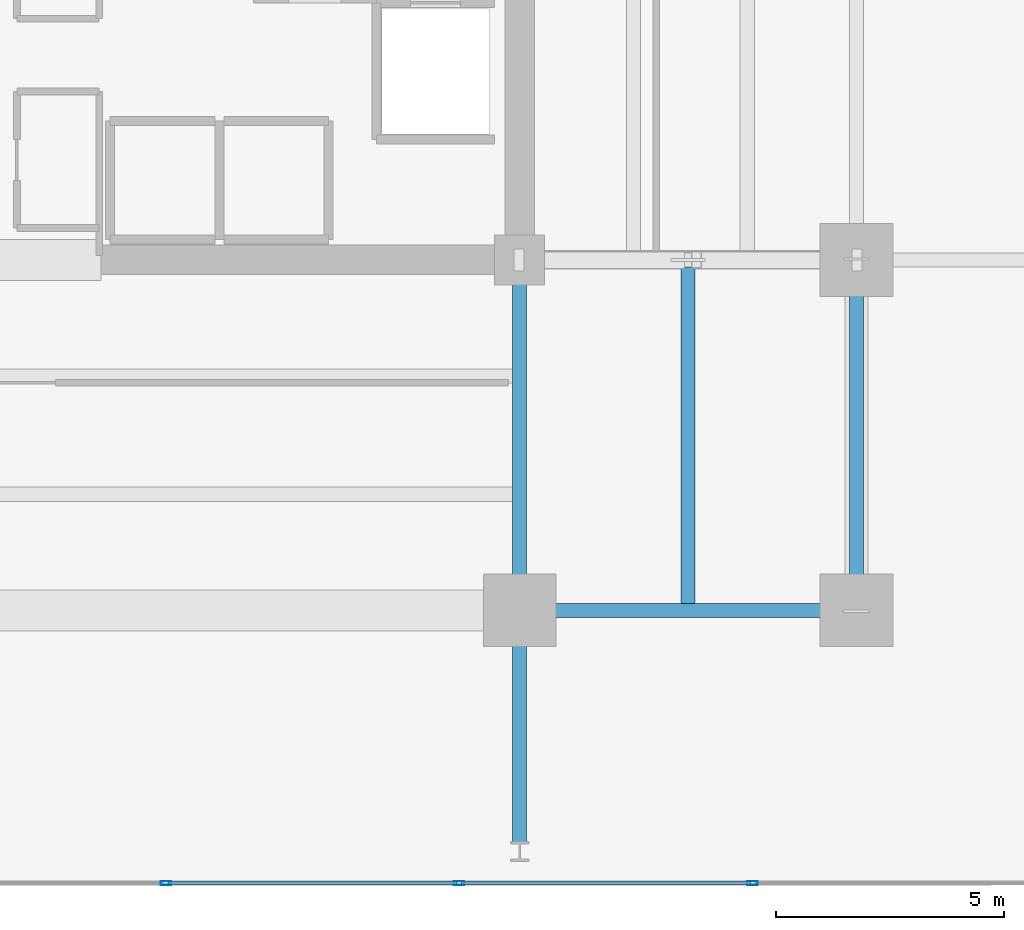
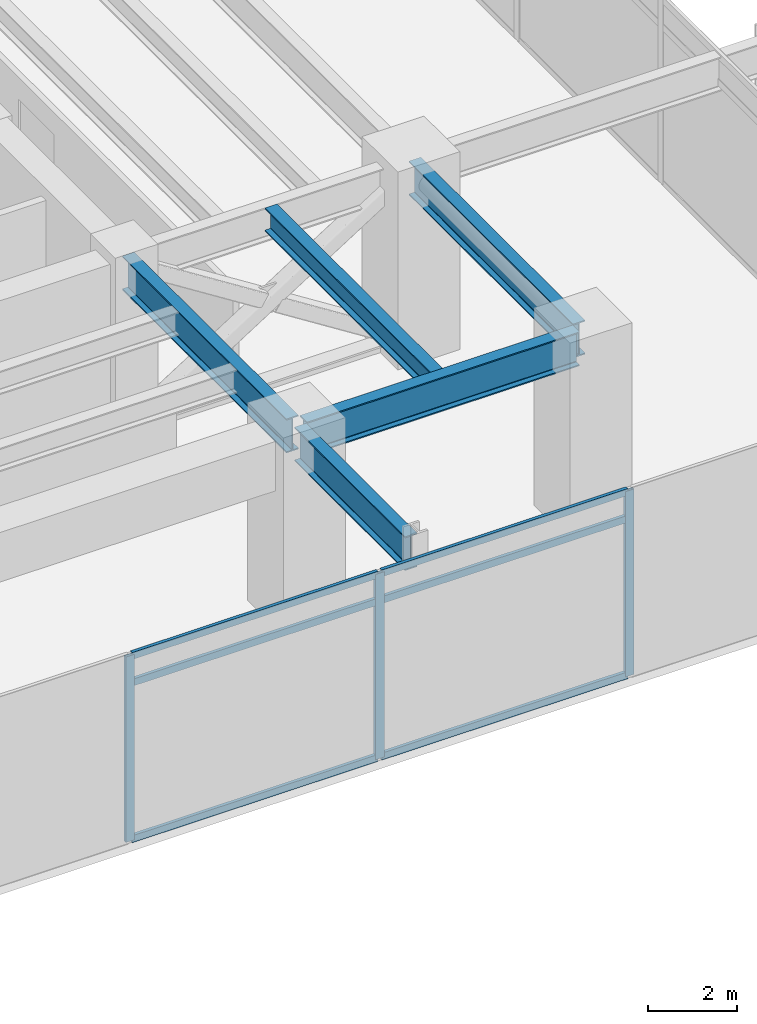
# One storey, part 9 of 26: 9 members, 5 beams, 1 element without a shape of its own.
"""IFC4 building model written with IfcOpenShell, lengths in metres."""

from ifc_helpers import new_model, si_unit, direction, frame, origin, origin_2d, place, context, subcontext, project, spatial, hollow_rectangle, i_section, extrude, material, material_profile, profile_set, type_object, element, aggregate, save


model = new_model("IFC4")

# Units and contexts
model_context = context("Model", 3, precision=1e-05, world=origin(), true_north=direction((0.0, 1.0)))
body_context = subcontext(model_context, "Body", "Model", "MODEL_VIEW")
ifc_project = project(units=[si_unit("LENGTHUNIT", "METRE"), si_unit("AREAUNIT", "SQUARE_METRE"), si_unit("VOLUMEUNIT", "CUBIC_METRE"), si_unit("PLANEANGLEUNIT", "RADIAN"), si_unit("MASSUNIT", "GRAM", prefix="KILO")], contexts=[model_context])

# Site, building, storey
site_placement = place(None, origin())
site = spatial("IfcSite", under=ifc_project, at=site_placement, CompositionType="ELEMENT")
building_placement = place(site_placement, origin())
building = spatial("IfcBuilding", under=site, at=building_placement, Name="Kovane Verandah Tower", CompositionType="ELEMENT")
storey_placement = place(building_placement, frame((0.0, 0.0, 113.0)))
storey = spatial("IfcBuildingStorey", under=building, at=storey_placement, Name="L26", CompositionType="ELEMENT", Elevation=113.0)

# Beams
ifc_material_1 = material(Name="Steel S460", Category="steel")
ifc_material_profile_1 = material_profile(ifc_material_1, i_section(OverallWidth=0.311279296875, OverallDepth=0.6357421875, WebThickness=0.018310546875, FlangeThickness=0.031494140625, FilletRadius=0.0166015625, at=origin_2d()), Name="UB610x305x238")
ifc_profile_set_1 = profile_set([ifc_material_profile_1], Name="Steel S460")
beam_type_1 = type_object("IfcBeamType", Name="BM-UB610x238", PredefinedType="BEAM", material=ifc_profile_set_1)
beam_1_placement = place(storey_placement, frame((54.699951171875, 10.951904296875, 4.781982421875), z_axis=(0.0, 1.0, 0.0), x_axis=(-1.0, 0.0, 0.0)))
element("IfcBeam", 1, at=beam_1_placement, inside=storey, type_object=beam_type_1, Name="L26 Secondary Composite Joist J-SE1", PredefinedType="BEAM", context=body_context, shape_type="SweptSolid", body=[
    extrude(i_section(OverallWidth=0.311279296875, OverallDepth=0.6357421875, WebThickness=0.018310546875, FlangeThickness=0.031494140625, FilletRadius=0.0166015625, at=origin_2d()), origin(), (0.0, 0.0, 1.0), 7.396240234375),
])
ifc_material_profile_2 = material_profile(ifc_material_1, i_section(OverallWidth=0.3076171875, OverallDepth=0.926513671875, WebThickness=0.01953125, FlangeThickness=0.031982421875, FilletRadius=0.01904296875, at=origin_2d()), Name="UB914x305x289")
ifc_profile_set_2 = profile_set([ifc_material_profile_2], Name="Steel S460")
beam_type_2 = type_object("IfcBeamType", Name="BM-UB914x289", PredefinedType="BEAM", material=ifc_profile_set_2)
beam_2_placement = place(storey_placement, frame((51.179931640625, 10.800048828125, 4.63671875), z_axis=(1.0, 0.0, 0.0), x_axis=(0.0, 1.0, 0.0)))
element("IfcBeam", 2, at=beam_2_placement, inside=storey, type_object=beam_type_2, Name="L26 Primary Tower Girder G-RS3", PredefinedType="BEAM", context=body_context, shape_type="SweptSolid", body=[
    extrude(i_section(OverallWidth=0.3076171875, OverallDepth=0.926513671875, WebThickness=0.01953125, FlangeThickness=0.031982421875, FilletRadius=0.01904296875, at=origin_2d()), origin(), (0.0, 0.0, 1.0), 7.0400390625),
])
for number, where, z_axis, x_axis, name in (
    (3, (58.39990234375, 10.97998046875, 4.63671875), (0.0, 1.0, 0.0), (-1.0, 0.0, 0.0), "L26 Primary Tower Girder G-RE1"),
    (4, (51.0, 18.320068359375, 4.63671875), (0.0, -1.0, 0.0), (1.0, 0.0, 0.0), "L26 Primary Tower Girder G-S2"),
):
    element("IfcBeam", number, at=place(storey_placement, frame(where, z_axis=z_axis, x_axis=x_axis)), inside=storey, type_object=beam_type_2, Name=name, PredefinedType="BEAM", context=body_context, shape_type="SweptSolid", body=[
        extrude(i_section(OverallWidth=0.3076171875, OverallDepth=0.926513671875, WebThickness=0.01953125, FlangeThickness=0.031982421875, FilletRadius=0.01904296875, at=origin_2d()), origin(), (0.0, 0.0, 1.0), 7.340087890625),
    ])
beam_3_placement = place(storey_placement, frame((51.0, 10.6201171875, 4.63671875), z_axis=(0.0, -1.0, 0.0), x_axis=(1.0, 0.0, 0.0)))
element("IfcBeam", 5, at=beam_3_placement, inside=storey, type_object=beam_type_2, Name="L26 Primary Tower Girder G-VS2", PredefinedType="BEAM", context=body_context, shape_type="SweptSolid", body=[
    extrude(i_section(OverallWidth=0.3076171875, OverallDepth=0.926513671875, WebThickness=0.01953125, FlangeThickness=0.031982421875, FilletRadius=0.01904296875, at=origin_2d()), origin(), (0.0, 0.0, 1.0), 4.940185546875),
])

# Curtain wall, members
ifc_material_2 = material(Name="Champagne Anodised Aluminium Frame with Low-E Clear Laminated Glass", Category="aluminium")
curtain_wall_type = type_object("IfcCurtainWallType", Name="CW-SYS-02-LOW", PredefinedType="NOTDEFINED", material=ifc_material_2)
curtain_wall_placement = place(storey_placement, origin())
curtain_wall = element("IfcCurtainWall", 6, at=curtain_wall_placement, inside=storey, type_object=curtain_wall_type, Name="L26 S Unitised Curtain Wall", PredefinedType="NOTDEFINED")
ifc_material_3 = material(Name="Champagne Anodised Aluminium 6063-T6", Category="aluminium")
ifc_material_profile_3 = material_profile(ifc_material_3, hollow_rectangle(XDim=0.0849609375, YDim=0.22998046875, WallThickness=0.00390625, at=origin_2d()), Name="AL85x230x4")
ifc_profile_set_3 = profile_set([ifc_material_profile_3], Name="Champagne Anodised Aluminium 6063-T6")
member_type_1 = type_object("IfcMemberType", Name="CW-MUL-85x230", PredefinedType="MULLION", material=ifc_profile_set_3)
member_1_placement = place(storey_placement, frame((43.223388671875, 4.80517578125, 0.02001953125), z_axis=(0.0, 0.0, 1.0), x_axis=(0.0, -1.0, 0.0)))
member_1 = element("IfcMember", 7, at=member_1_placement, type_object=member_type_1, Name="L26 S Unitised Curtain Wall Mullion 5", PredefinedType="MULLION", context=body_context, shape_type="SweptSolid", body=[
    extrude(hollow_rectangle(XDim=0.0849609375, YDim=0.22998046875, WallThickness=0.00390625, at=origin_2d()), origin(), (0.0, 0.0, 1.0), 5.06005859375),
])
member_2_placement = place(storey_placement, frame((49.67041015625, 4.80517578125, 0.02001953125), z_axis=(0.0, 0.0, 1.0), x_axis=(0.0, -1.0, 0.0)))
member_2 = element("IfcMember", 8, at=member_2_placement, type_object=member_type_1, Name="L26 S Unitised Curtain Wall Mullion 6", PredefinedType="MULLION", context=body_context, shape_type="SweptSolid", body=[
    extrude(hollow_rectangle(XDim=0.0849609375, YDim=0.22998046875, WallThickness=0.00390625, at=origin_2d()), origin(), (0.0, 0.0, 1.0), 5.06005859375),
])
member_3_placement = place(storey_placement, frame((56.1171875, 4.80517578125, 0.02001953125), z_axis=(0.0, 0.0, 1.0), x_axis=(0.0, -1.0, 0.0)))
member_3 = element("IfcMember", 9, at=member_3_placement, type_object=member_type_1, Name="L26 S Unitised Curtain Wall Mullion 7", PredefinedType="MULLION", context=body_context, shape_type="SweptSolid", body=[
    extrude(hollow_rectangle(XDim=0.0849609375, YDim=0.22998046875, WallThickness=0.00390625, at=origin_2d()), origin(), (0.0, 0.0, 1.0), 5.06005859375),
])
ifc_material_profile_4 = material_profile(ifc_material_3, hollow_rectangle(XDim=0.0849609375, YDim=0.18994140625, WallThickness=0.00390625, at=origin_2d()), Name="AL85x190x4")
ifc_profile_set_4 = profile_set([ifc_material_profile_4], Name="Champagne Anodised Aluminium 6063-T6")
member_type_2 = type_object("IfcMemberType", Name="CW-TRN-85x190", PredefinedType="USERDEFINED", material=ifc_profile_set_4)
member_4_placement = place(storey_placement, frame((43.2734375, 4.80517578125, 0.050048828125), z_axis=(1.0, 0.0, 0.0), x_axis=(0.0, 1.0, 0.0)))
member_4 = element("IfcMember", 10, at=member_4_placement, type_object=member_type_2, Name="L26 S Unitised Curtain Wall Transom TB Bay 5", ObjectType="TRANSOM", PredefinedType="USERDEFINED", context=body_context, shape_type="SweptSolid", body=[
    extrude(hollow_rectangle(XDim=0.0849609375, YDim=0.18994140625, WallThickness=0.00390625, at=origin_2d()), origin(), (0.0, 0.0, 1.0), 6.346923828125),
])
member_5_placement = place(storey_placement, frame((43.2734375, 4.80517578125, 4.320068359375), z_axis=(1.0, 0.0, 0.0), x_axis=(0.0, 1.0, 0.0)))
member_5 = element("IfcMember", 11, at=member_5_placement, type_object=member_type_2, Name="L26 S Unitised Curtain Wall Transom TM Bay 5", ObjectType="TRANSOM", PredefinedType="USERDEFINED", context=body_context, shape_type="SweptSolid", body=[
    extrude(hollow_rectangle(XDim=0.0849609375, YDim=0.18994140625, WallThickness=0.00390625, at=origin_2d()), origin(), (0.0, 0.0, 1.0), 6.346923828125),
])
member_6_placement = place(storey_placement, frame((43.2734375, 4.80517578125, 5.050048828125), z_axis=(1.0, 0.0, 0.0), x_axis=(0.0, 1.0, 0.0)))
member_6 = element("IfcMember", 12, at=member_6_placement, type_object=member_type_2, Name="L26 S Unitised Curtain Wall Transom TT Bay 5", ObjectType="TRANSOM", PredefinedType="USERDEFINED", context=body_context, shape_type="SweptSolid", body=[
    extrude(hollow_rectangle(XDim=0.0849609375, YDim=0.18994140625, WallThickness=0.00390625, at=origin_2d()), origin(), (0.0, 0.0, 1.0), 6.346923828125),
])
member_7_placement = place(storey_placement, frame((49.72021484375, 4.80517578125, 0.050048828125), z_axis=(1.0, 0.0, 0.0), x_axis=(0.0, 1.0, 0.0)))
member_7 = element("IfcMember", 13, at=member_7_placement, type_object=member_type_2, Name="L26 S Unitised Curtain Wall Transom TB Bay 6", ObjectType="TRANSOM", PredefinedType="USERDEFINED", context=body_context, shape_type="SweptSolid", body=[
    extrude(hollow_rectangle(XDim=0.0849609375, YDim=0.18994140625, WallThickness=0.00390625, at=origin_2d()), origin(), (0.0, 0.0, 1.0), 6.346923828125),
])
member_8_placement = place(storey_placement, frame((49.72021484375, 4.80517578125, 4.320068359375), z_axis=(1.0, 0.0, 0.0), x_axis=(0.0, 1.0, 0.0)))
member_8 = element("IfcMember", 14, at=member_8_placement, type_object=member_type_2, Name="L26 S Unitised Curtain Wall Transom TM Bay 6", ObjectType="TRANSOM", PredefinedType="USERDEFINED", context=body_context, shape_type="SweptSolid", body=[
    extrude(hollow_rectangle(XDim=0.0849609375, YDim=0.18994140625, WallThickness=0.00390625, at=origin_2d()), origin(), (0.0, 0.0, 1.0), 6.346923828125),
])
member_9_placement = place(storey_placement, frame((49.72021484375, 4.80517578125, 5.050048828125), z_axis=(1.0, 0.0, 0.0), x_axis=(0.0, 1.0, 0.0)))
member_9 = element("IfcMember", 15, at=member_9_placement, type_object=member_type_2, Name="L26 S Unitised Curtain Wall Transom TT Bay 6", ObjectType="TRANSOM", PredefinedType="USERDEFINED", context=body_context, shape_type="SweptSolid", body=[
    extrude(hollow_rectangle(XDim=0.0849609375, YDim=0.18994140625, WallThickness=0.00390625, at=origin_2d()), origin(), (0.0, 0.0, 1.0), 6.346923828125),
])
aggregate(curtain_wall, [member_1, member_2, member_3, member_4, member_5, member_6, member_7, member_8, member_9])

save(model, "model.ifc")
